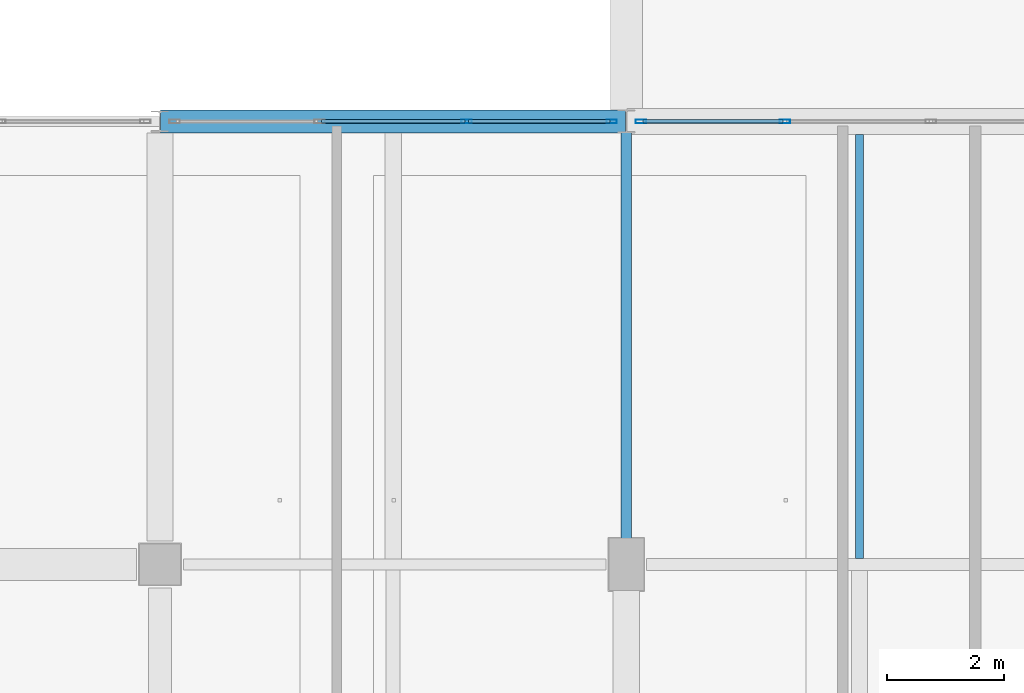
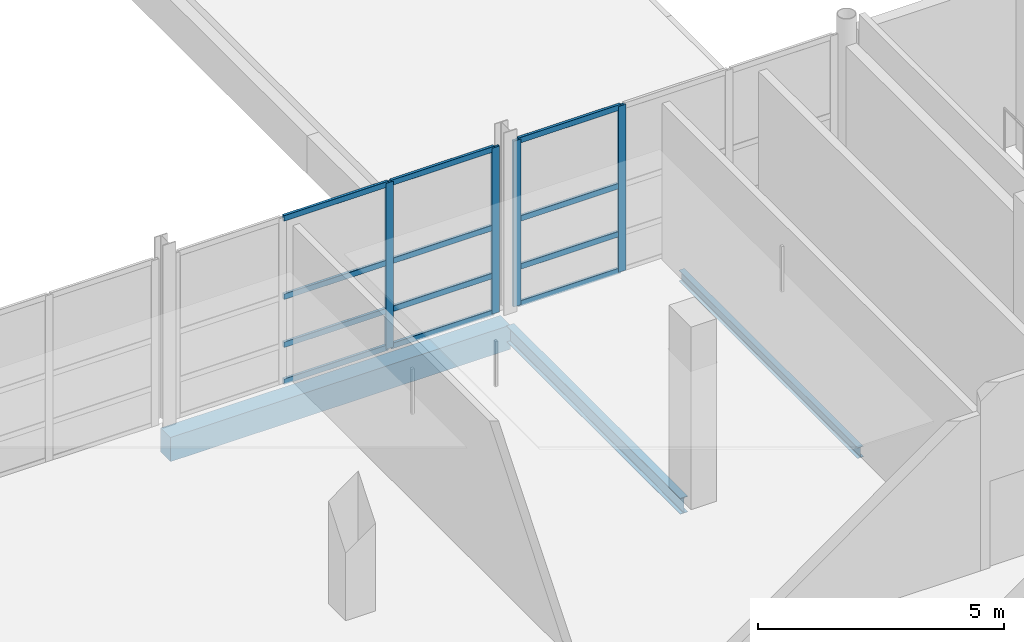
# One storey, part 43 of 107: 16 members, 3 beams, 2 elements without a shape of their own.
"""IFC4 building model written with IfcOpenShell, lengths in metres."""

from ifc_helpers import new_model, si_unit, direction, frame, origin, origin_2d, place, context, subcontext, project, spatial, rectangle, hollow_rectangle, i_section, extrude, material, material_profile, profile_set, type_object, element, aggregate, save


model = new_model("IFC4")

# Units and contexts
model_context = context("Model", 3, precision=1e-05, world=origin(), true_north=direction((0.0, 1.0)))
body_context = subcontext(model_context, "Body", "Model", "MODEL_VIEW")
ifc_project = project(units=[si_unit("LENGTHUNIT", "METRE"), si_unit("AREAUNIT", "SQUARE_METRE"), si_unit("VOLUMEUNIT", "CUBIC_METRE"), si_unit("PLANEANGLEUNIT", "RADIAN"), si_unit("MASSUNIT", "GRAM", prefix="KILO")], contexts=[model_context])

# Site, building, storey
site_placement = place(None, origin())
site = spatial("IfcSite", under=ifc_project, at=site_placement, CompositionType="ELEMENT")
building_placement = place(site_placement, origin())
building = spatial("IfcBuilding", under=site, at=building_placement, Name="Khelvaren Railside Concert Hall", CompositionType="ELEMENT")
storey_placement = place(building_placement, frame((0.0, 0.0, 15.0)))
storey = spatial("IfcBuildingStorey", under=building, at=storey_placement, Name="L03", CompositionType="ELEMENT", Elevation=15.0)

# Beam
ifc_material_1 = material(Name="Steel S355", Category="steel")
ifc_material_profile_1 = material_profile(ifc_material_1, i_section(OverallWidth=0.179931640625, OverallDepth=0.39990234375, WebThickness=0.008544921875, FlangeThickness=0.013427734375, FilletRadius=0.02099609375, at=origin_2d()), Name="IPE 400")
ifc_profile_set_1 = profile_set([ifc_material_profile_1], Name="Steel S355")
beam_type_1 = type_object("IfcBeamType", Name="BM29", PredefinedType="BEAM", material=ifc_profile_set_1)
beam_1_placement = place(storey_placement, frame((160.0, 30.75, -0.47998046875), z_axis=(0.0, 1.0, 0.0), x_axis=(-1.0, 0.0, 0.0)))
element("IfcBeam", 1, at=beam_1_placement, inside=storey, type_object=beam_type_1, Name="V2 L03 Beam Y3.5", PredefinedType="BEAM", context=body_context, shape_type="SweptSolid", body=[
    extrude(i_section(OverallWidth=0.179931640625, OverallDepth=0.39990234375, WebThickness=0.008544921875, FlangeThickness=0.013427734375, FilletRadius=0.02099609375, at=origin_2d()), origin(), (0.0, 0.0, 1.0), 7.070068359375),
])

# Curtain wall, members
ifc_material_2 = material(Name="Double-glazed low-E dark acoustic glass", Category="glass")
curtain_wall_type_1 = type_object("IfcCurtainWallType", Name="CW69", PredefinedType="USERDEFINED", material=ifc_material_2)
curtain_wall_1_placement = place(storey_placement, origin())
curtain_wall_1 = element("IfcCurtainWall", 2, at=curtain_wall_1_placement, inside=storey, type_object=curtain_wall_type_1, Name="Unitised Curtain Wall CW-V2-L03-N-152", ObjectType="UNITISED CURTAIN WALL", PredefinedType="USERDEFINED")
ifc_material_3 = material(Name="Anodised architectural aluminium 6063-T6", Category="aluminium")
ifc_material_profile_2 = material_profile(ifc_material_3, hollow_rectangle(XDim=0.06494140625, YDim=0.179931640625, WallThickness=0.00390625, InnerFilletRadius=0.001953125, OuterFilletRadius=0.00390625, at=origin_2d()), Name="CWM 65x180x4")
ifc_profile_set_2 = profile_set([ifc_material_profile_2], Name="Anodised architectural aluminium 6063-T6")
member_type_1 = type_object("IfcMemberType", Name="CWM63", PredefinedType="MULLION", material=ifc_profile_set_2)
member_1_placement = place(storey_placement, frame((157.2607421875, 38.0, 0.0), z_axis=(0.0, 0.0, 1.0), x_axis=(0.0, 1.0, 0.0)))
member_1 = element("IfcMember", 3, at=member_1_placement, type_object=member_type_1, Name="CW69 mullion 3", PredefinedType="MULLION", context=body_context, shape_type="SweptSolid", body=[
    extrude(hollow_rectangle(XDim=0.06494140625, YDim=0.179931640625, WallThickness=0.00390625, InnerFilletRadius=0.001953125, OuterFilletRadius=0.00390625, at=origin_2d()), origin(), (0.0, 0.0, 1.0), 4.1201171875),
])
member_2_placement = place(storey_placement, frame((159.75, 38.0, 0.0), z_axis=(0.0, 0.0, 1.0), x_axis=(0.0, 1.0, 0.0)))
member_2 = element("IfcMember", 4, at=member_2_placement, type_object=member_type_1, Name="CW69 mullion 4", PredefinedType="MULLION", context=body_context, shape_type="SweptSolid", body=[
    extrude(hollow_rectangle(XDim=0.06494140625, YDim=0.179931640625, WallThickness=0.00390625, InnerFilletRadius=0.001953125, OuterFilletRadius=0.00390625, at=origin_2d()), origin(), (0.0, 0.0, 1.0), 4.1201171875),
])

curtain_wall_type_2 = type_object("IfcCurtainWallType", Name="CW32", PredefinedType="USERDEFINED", material=ifc_material_2)
curtain_wall_2_placement = place(storey_placement, origin())
curtain_wall_2 = element("IfcCurtainWall", 5, at=curtain_wall_2_placement, inside=storey, type_object=curtain_wall_type_2, Name="Unitised Curtain Wall CW-V2-L03-N-160", ObjectType="UNITISED CURTAIN WALL", PredefinedType="USERDEFINED")
member_3_placement = place(storey_placement, frame((160.25, 38.0, 0.0), z_axis=(0.0, 0.0, 1.0), x_axis=(0.0, 1.0, 0.0)))
member_3 = element("IfcMember", 6, at=member_3_placement, type_object=member_type_1, Name="CW32 mullion 1", PredefinedType="MULLION", context=body_context, shape_type="SweptSolid", body=[
    extrude(hollow_rectangle(XDim=0.06494140625, YDim=0.179931640625, WallThickness=0.00390625, InnerFilletRadius=0.001953125, OuterFilletRadius=0.00390625, at=origin_2d()), origin(), (0.0, 0.0, 1.0), 4.1201171875),
])
member_4_placement = place(storey_placement, frame((162.721435546875, 38.0, 0.0), z_axis=(0.0, 0.0, 1.0), x_axis=(0.0, 1.0, 0.0)))
member_4 = element("IfcMember", 7, at=member_4_placement, type_object=member_type_1, Name="CW32 mullion 2", PredefinedType="MULLION", context=body_context, shape_type="SweptSolid", body=[
    extrude(hollow_rectangle(XDim=0.06494140625, YDim=0.179931640625, WallThickness=0.00390625, InnerFilletRadius=0.001953125, OuterFilletRadius=0.00390625, at=origin_2d()), origin(), (0.0, 0.0, 1.0), 4.1201171875),
])

# Member
ifc_material_profile_3 = material_profile(ifc_material_3, hollow_rectangle(XDim=0.06494140625, YDim=0.139892578125, WallThickness=0.00390625, InnerFilletRadius=0.001953125, OuterFilletRadius=0.00390625, at=origin_2d()), Name="CWT 65x140x4")
ifc_profile_set_3 = profile_set([ifc_material_profile_3], Name="Anodised architectural aluminium 6063-T6")
member_type_2 = type_object("IfcMemberType", Name="CWT72", PredefinedType="USERDEFINED", material=ifc_profile_set_3)
member_5_placement = place(storey_placement, frame((154.771728515625, 38.0, 0.032470703125), z_axis=(1.0, 0.0, 0.0), x_axis=(0.0, 1.0, 0.0)))
member_5 = element("IfcMember", 8, at=member_5_placement, type_object=member_type_2, Name="CW69 transom 2.1", ObjectType="TRANSOM", PredefinedType="USERDEFINED", context=body_context, shape_type="SweptSolid", body=[
    extrude(hollow_rectangle(XDim=0.06494140625, YDim=0.139892578125, WallThickness=0.00390625, InnerFilletRadius=0.001953125, OuterFilletRadius=0.00390625, at=origin_2d()), origin(), (0.0, 0.0, 1.0), 2.45654296875),
])

member_6_placement = place(storey_placement, frame((154.771728515625, 38.0, 0.949951171875), z_axis=(1.0, 0.0, 0.0), x_axis=(0.0, 1.0, 0.0)))
member_6 = element("IfcMember", 9, at=member_6_placement, type_object=member_type_2, Name="CW69 transom 2.2", ObjectType="TRANSOM", PredefinedType="USERDEFINED", context=body_context, shape_type="SweptSolid", body=[
    extrude(hollow_rectangle(XDim=0.06494140625, YDim=0.139892578125, WallThickness=0.00390625, InnerFilletRadius=0.001953125, OuterFilletRadius=0.00390625, at=origin_2d()), origin(), (0.0, 0.0, 1.0), 2.45654296875),
])

member_7_placement = place(storey_placement, frame((154.771728515625, 38.0, 2.142333984375), z_axis=(1.0, 0.0, 0.0), x_axis=(0.0, 1.0, 0.0)))
member_7 = element("IfcMember", 10, at=member_7_placement, type_object=member_type_2, Name="CW69 transom 2.3", ObjectType="TRANSOM", PredefinedType="USERDEFINED", context=body_context, shape_type="SweptSolid", body=[
    extrude(hollow_rectangle(XDim=0.06494140625, YDim=0.139892578125, WallThickness=0.00390625, InnerFilletRadius=0.001953125, OuterFilletRadius=0.00390625, at=origin_2d()), origin(), (0.0, 0.0, 1.0), 2.45654296875),
])

member_8_placement = place(storey_placement, frame((154.771728515625, 38.0, 4.08740234375), z_axis=(1.0, 0.0, 0.0), x_axis=(0.0, 1.0, 0.0)))
member_8 = element("IfcMember", 11, at=member_8_placement, type_object=member_type_2, Name="CW69 transom 2.4", ObjectType="TRANSOM", PredefinedType="USERDEFINED", context=body_context, shape_type="SweptSolid", body=[
    extrude(hollow_rectangle(XDim=0.06494140625, YDim=0.139892578125, WallThickness=0.00390625, InnerFilletRadius=0.001953125, OuterFilletRadius=0.00390625, at=origin_2d()), origin(), (0.0, 0.0, 1.0), 2.45654296875),
])

member_9_placement = place(storey_placement, frame((157.293212890625, 38.0, 0.032470703125), z_axis=(1.0, 0.0, 0.0), x_axis=(0.0, 1.0, 0.0)))
member_9 = element("IfcMember", 12, at=member_9_placement, type_object=member_type_2, Name="CW69 transom 3.1", ObjectType="TRANSOM", PredefinedType="USERDEFINED", context=body_context, shape_type="SweptSolid", body=[
    extrude(hollow_rectangle(XDim=0.06494140625, YDim=0.139892578125, WallThickness=0.00390625, InnerFilletRadius=0.001953125, OuterFilletRadius=0.00390625, at=origin_2d()), origin(), (0.0, 0.0, 1.0), 2.42431640625),
])

member_10_placement = place(storey_placement, frame((157.293212890625, 38.0, 0.949951171875), z_axis=(1.0, 0.0, 0.0), x_axis=(0.0, 1.0, 0.0)))
member_10 = element("IfcMember", 13, at=member_10_placement, type_object=member_type_2, Name="CW69 transom 3.2", ObjectType="TRANSOM", PredefinedType="USERDEFINED", context=body_context, shape_type="SweptSolid", body=[
    extrude(hollow_rectangle(XDim=0.06494140625, YDim=0.139892578125, WallThickness=0.00390625, InnerFilletRadius=0.001953125, OuterFilletRadius=0.00390625, at=origin_2d()), origin(), (0.0, 0.0, 1.0), 2.42431640625),
])

member_11_placement = place(storey_placement, frame((157.293212890625, 38.0, 2.142333984375), z_axis=(1.0, 0.0, 0.0), x_axis=(0.0, 1.0, 0.0)))
member_11 = element("IfcMember", 14, at=member_11_placement, type_object=member_type_2, Name="CW69 transom 3.3", ObjectType="TRANSOM", PredefinedType="USERDEFINED", context=body_context, shape_type="SweptSolid", body=[
    extrude(hollow_rectangle(XDim=0.06494140625, YDim=0.139892578125, WallThickness=0.00390625, InnerFilletRadius=0.001953125, OuterFilletRadius=0.00390625, at=origin_2d()), origin(), (0.0, 0.0, 1.0), 2.42431640625),
])

member_12_placement = place(storey_placement, frame((157.293212890625, 38.0, 4.08740234375), z_axis=(1.0, 0.0, 0.0), x_axis=(0.0, 1.0, 0.0)))
member_12 = element("IfcMember", 15, at=member_12_placement, type_object=member_type_2, Name="CW69 transom 3.4", ObjectType="TRANSOM", PredefinedType="USERDEFINED", context=body_context, shape_type="SweptSolid", body=[
    extrude(hollow_rectangle(XDim=0.06494140625, YDim=0.139892578125, WallThickness=0.00390625, InnerFilletRadius=0.001953125, OuterFilletRadius=0.00390625, at=origin_2d()), origin(), (0.0, 0.0, 1.0), 2.42431640625),
])

aggregate(curtain_wall_1, [member_1, member_2, member_5, member_6, member_7, member_8, member_9, member_10, member_11, member_12])

member_13_placement = place(storey_placement, frame((160.282470703125, 38.0, 0.032470703125), z_axis=(1.0, 0.0, 0.0), x_axis=(0.0, 1.0, 0.0)))
member_13 = element("IfcMember", 16, at=member_13_placement, type_object=member_type_2, Name="CW32 transom 1.1", ObjectType="TRANSOM", PredefinedType="USERDEFINED", context=body_context, shape_type="SweptSolid", body=[
    extrude(hollow_rectangle(XDim=0.06494140625, YDim=0.139892578125, WallThickness=0.00390625, InnerFilletRadius=0.001953125, OuterFilletRadius=0.00390625, at=origin_2d()), origin(), (0.0, 0.0, 1.0), 2.406494140625),
])

member_14_placement = place(storey_placement, frame((160.282470703125, 38.0, 0.949951171875), z_axis=(1.0, 0.0, 0.0), x_axis=(0.0, 1.0, 0.0)))
member_14 = element("IfcMember", 17, at=member_14_placement, type_object=member_type_2, Name="CW32 transom 1.2", ObjectType="TRANSOM", PredefinedType="USERDEFINED", context=body_context, shape_type="SweptSolid", body=[
    extrude(hollow_rectangle(XDim=0.06494140625, YDim=0.139892578125, WallThickness=0.00390625, InnerFilletRadius=0.001953125, OuterFilletRadius=0.00390625, at=origin_2d()), origin(), (0.0, 0.0, 1.0), 2.406494140625),
])

member_15_placement = place(storey_placement, frame((160.282470703125, 38.0, 2.142333984375), z_axis=(1.0, 0.0, 0.0), x_axis=(0.0, 1.0, 0.0)))
member_15 = element("IfcMember", 18, at=member_15_placement, type_object=member_type_2, Name="CW32 transom 1.3", ObjectType="TRANSOM", PredefinedType="USERDEFINED", context=body_context, shape_type="SweptSolid", body=[
    extrude(hollow_rectangle(XDim=0.06494140625, YDim=0.139892578125, WallThickness=0.00390625, InnerFilletRadius=0.001953125, OuterFilletRadius=0.00390625, at=origin_2d()), origin(), (0.0, 0.0, 1.0), 2.406494140625),
])

member_16_placement = place(storey_placement, frame((160.282470703125, 38.0, 4.08740234375), z_axis=(1.0, 0.0, 0.0), x_axis=(0.0, 1.0, 0.0)))
member_16 = element("IfcMember", 19, at=member_16_placement, type_object=member_type_2, Name="CW32 transom 1.4", ObjectType="TRANSOM", PredefinedType="USERDEFINED", context=body_context, shape_type="SweptSolid", body=[
    extrude(hollow_rectangle(XDim=0.06494140625, YDim=0.139892578125, WallThickness=0.00390625, InnerFilletRadius=0.001953125, OuterFilletRadius=0.00390625, at=origin_2d()), origin(), (0.0, 0.0, 1.0), 2.406494140625),
])

aggregate(curtain_wall_2, [member_3, member_4, member_13, member_14, member_15, member_16])

# Beams
ifc_material_profile_4 = material_profile(ifc_material_1, i_section(OverallWidth=0.135009765625, OverallDepth=0.27001953125, WebThickness=0.006591796875, FlangeThickness=0.01025390625, FilletRadius=0.014892578125, at=origin_2d()), Name="IPE 270")
ifc_profile_set_4 = profile_set([ifc_material_profile_4], Name="Steel S355")
beam_type_2 = type_object("IfcBeamType", Name="JS78", PredefinedType="JOIST", material=ifc_profile_set_4)
beam_2_placement = place(storey_placement, frame((164.0, 30.5, -0.4150390625), z_axis=(0.0, 1.0, 0.0), x_axis=(-1.0, 0.0, 0.0)))
element("IfcBeam", 20, at=beam_2_placement, inside=storey, type_object=beam_type_2, Name="V2 L03 Secondary Joist 3.5", PredefinedType="JOIST", context=body_context, shape_type="SweptSolid", body=[
    extrude(i_section(OverallWidth=0.135009765625, OverallDepth=0.27001953125, WebThickness=0.006591796875, FlangeThickness=0.01025390625, FilletRadius=0.014892578125, at=origin_2d()), origin(), (0.0, 0.0, 1.0), 7.27490234375),
])
ifc_material_4 = material(Name="Concrete C40/50", Category="concrete")
ifc_material_profile_5 = material_profile(ifc_material_4, rectangle(XDim=0.39990234375, YDim=0.60009765625, at=origin_2d()), Name="RCB 400x600")
ifc_profile_set_5 = profile_set([ifc_material_profile_5], Name="Concrete C40/50")
beam_type_3 = type_object("IfcBeamType", Name="SP75", PredefinedType="SPANDREL", material=ifc_profile_set_5)
beam_3_placement = place(storey_placement, frame((152.010009765625, 38.0, -0.580078125), z_axis=(1.0, 0.0, 0.0), x_axis=(0.0, 1.0, 0.0)))
element("IfcBeam", 21, at=beam_3_placement, inside=storey, type_object=beam_type_3, Name="V2 L03 Spandrel X6.2", PredefinedType="SPANDREL", context=body_context, shape_type="SweptSolid", body=[
    extrude(rectangle(XDim=0.39990234375, YDim=0.60009765625, at=origin_2d()), origin(), (0.0, 0.0, 1.0), 7.97998046875),
])

save(model, "model.ifc")
